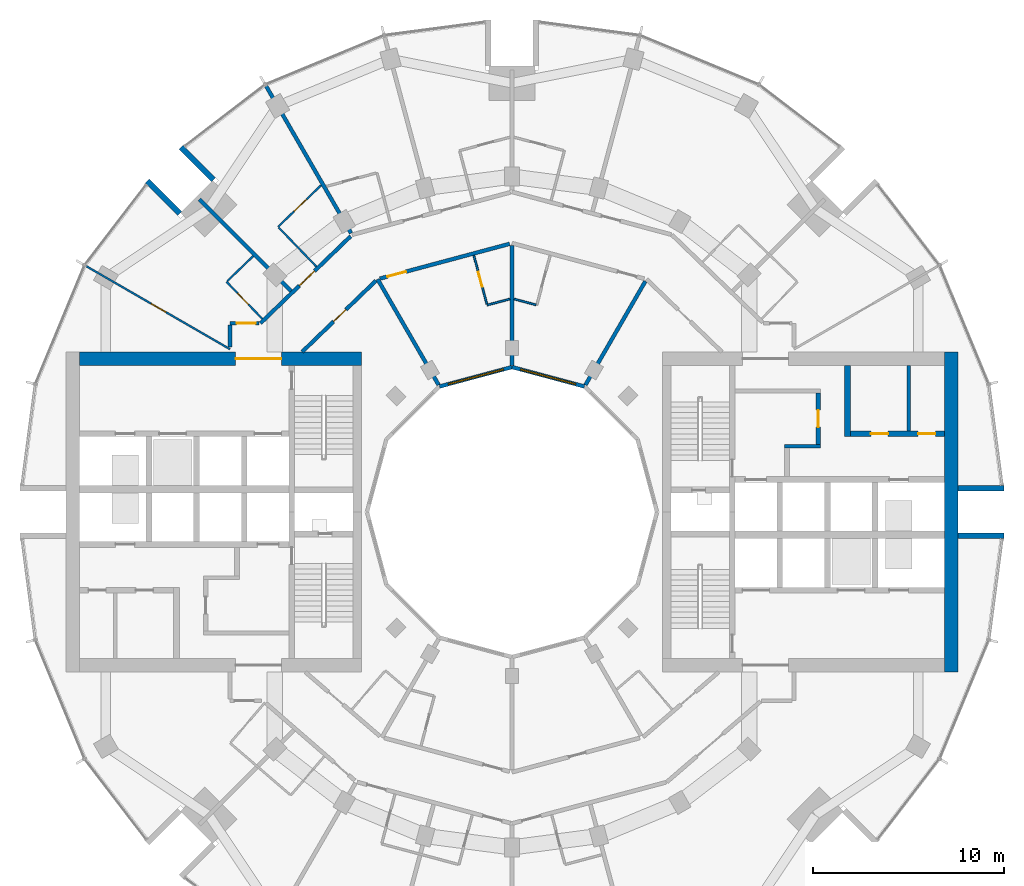
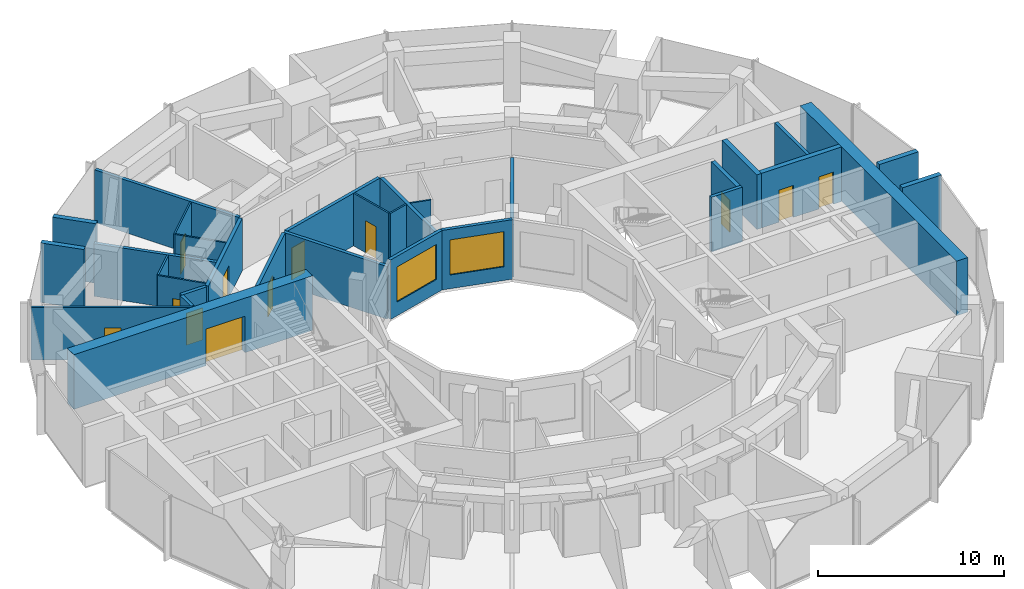
# One storey, part 11 of 15: 31 walls, 12 doors, 2 windows, 14 openings.
"""IFC4 building model written with IfcOpenShell, lengths in metres."""

import ifcopenshell
import ifcopenshell.guid

model = None  # the IFC model being written
_history = None  # IfcOwnerHistory: only IFC2X3 demands one
_inside = {}  # id of a spatial element -> (the spatial element, [elements in it])
_under = {}  # id of a project, library or spatial element -> (it, [spatial elements below it])
_declared = {}  # id of a project -> (the project, [libraries it declares])
_typed = {}  # id of a type object -> (the type object, [elements of that type])
_made_of = {}  # id of a material, layer set ... -> (it, [elements and type objects made of it])


def new_model(schema):
    """Start an empty IFC model of exactly this schema.

    Asked for "IFC4X3", IfcOpenShell would pick the latest addendum, in which some entities
    have other attributes; the version numbers below select the first issue.
    IFC2X3 requires an IfcOwnerHistory on every rooted entity: one is made here for all.
    """
    global model, _history
    if schema == "IFC4X3":
        model = ifcopenshell.file(schema_version=(4, 3, 0, 0))
    else:
        model = ifcopenshell.file(schema=schema)
    _inside.clear()
    _under.clear()
    _declared.clear()
    _typed.clear()
    _made_of.clear()
    _history = None
    if model.schema == "IFC2X3":
        org = make("IfcOrganization", Name="unknown")
        user = make(
            "IfcPersonAndOrganization",
            ThePerson=make("IfcPerson", FamilyName="unknown"),
            TheOrganization=org,
        )
        app = make(
            "IfcApplication",
            ApplicationDeveloper=org,
            Version="unknown",
            ApplicationFullName="unknown",
            ApplicationIdentifier="unknown",
        )
        _history = make(
            "IfcOwnerHistory",
            OwningUser=user,
            OwningApplication=app,
            ChangeAction="ADDED",
            CreationDate=0,
        )
    return model


def make(cls, **values):
    """One entity of the class cls with the attributes given. An attribute that is None is left unset."""
    return model.create_entity(
        cls, **{name: value for name, value in values.items() if value is not None}
    )


def rooted(cls, **values):
    """An entity with a GlobalId (a new one), such as an element, a storey or a relation."""
    return make(cls, GlobalId=ifcopenshell.guid.new(), OwnerHistory=_history, **values)


def si_unit(unit_type, name, prefix=None):
    """IfcSIUnit, for example si_unit("LENGTHUNIT", "METRE", prefix="MILLI")."""
    return make("IfcSIUnit", UnitType=unit_type, Prefix=prefix, Name=name)


def assignment(units):
    """IfcUnitAssignment: the units of a project."""
    return None if units is None else make("IfcUnitAssignment", Units=units)


def point(xyz):
    """IfcCartesianPoint."""
    return None if xyz is None else make("IfcCartesianPoint", Coordinates=xyz)


def direction(xyz):
    """IfcDirection."""
    return None if xyz is None else make("IfcDirection", DirectionRatios=xyz)


def frame(location, z_axis=None, x_axis=None):
    """IfcAxis2Placement3D, a coordinate frame: its origin and axes. An axis left out is left unset."""
    return make(
        "IfcAxis2Placement3D",
        Location=point(location),
        Axis=direction(z_axis),
        RefDirection=direction(x_axis),
    )


def frame_2d(location, x_axis=None):
    """IfcAxis2Placement2D, a coordinate frame in the plane: its origin and x axis."""
    return make(
        "IfcAxis2Placement2D", Location=point(location), RefDirection=direction(x_axis)
    )


def origin():
    """The frame at (0, 0, 0) with its axes left unset."""
    return frame((0.0, 0.0, 0.0))


def place(relative_to, where):
    """IfcLocalPlacement: puts the frame where relative to a parent placement (None: the world)."""
    return make(
        "IfcLocalPlacement", PlacementRelTo=relative_to, RelativePlacement=where
    )


def context(
    kind, dimensions, precision=None, world=None, true_north=None, identifier=None
):
    """IfcGeometricRepresentationContext, for example the 3D "Model" context."""
    return make(
        "IfcGeometricRepresentationContext",
        ContextIdentifier=identifier,
        ContextType=kind,
        CoordinateSpaceDimension=dimensions,
        Precision=precision,
        WorldCoordinateSystem=world,
        TrueNorth=true_north,
    )


def subcontext(parent, identifier, kind, view, scale=None):
    """IfcGeometricRepresentationSubContext, for example "Body" below "Model"."""
    return make(
        "IfcGeometricRepresentationSubContext",
        ContextIdentifier=identifier,
        ContextType=kind,
        ParentContext=parent,
        TargetScale=scale,
        TargetView=view,
    )


def project(units=None, contexts=None):
    """IfcProject with its units and contexts."""
    return rooted(
        "IfcProject",
        Name="project",
        RepresentationContexts=contexts,
        UnitsInContext=assignment(units),
    )


def spatial(cls, under=None, at=None, **own):
    """A site, building, storey or space (cls), placed at a placement, below another one or the project."""
    s = rooted(cls, ObjectPlacement=at, **own)
    if under is not None:
        _under.setdefault(under.id(), (under, []))[1].append(s)
    return s


def profile(cls, at=None, kind="AREA", **sizes):
    """A parametric profile (cls). Its sizes go by their IFC names, for example OverallWidth=200.0."""
    return make(cls, ProfileType=kind, Position=at, **sizes)


def rectangle(**sizes):
    """IfcRectangleProfileDef."""
    return profile("IfcRectangleProfileDef", **sizes)


def extrude(swept, where, along, depth):
    """IfcExtrudedAreaSolid: the profile swept, set in the frame where, extruded along a direction by depth."""
    return make(
        "IfcExtrudedAreaSolid",
        SweptArea=swept,
        Position=where,
        ExtrudedDirection=direction(along),
        Depth=depth,
    )


def shape(context_of_items, identifier, shape_type, items):
    """IfcShapeRepresentation: the items that make up one representation, for example the "Body"."""
    return make(
        "IfcShapeRepresentation",
        ContextOfItems=context_of_items,
        RepresentationIdentifier=identifier,
        RepresentationType=shape_type,
        Items=items,
    )


def material(Name=None, Category=None):
    """IfcMaterial."""
    return make("IfcMaterial", Name=Name, Category=Category)


def layer(
    of_material, thickness, ventilated=None, Name=None, Category=None, Priority=None
):
    """IfcMaterialLayer: one layer of a wall or slab, of a material (None: an air gap)."""
    return make(
        "IfcMaterialLayer",
        Material=of_material,
        LayerThickness=thickness,
        IsVentilated=ventilated,
        Name=Name,
        Category=Category,
        Priority=Priority,
    )


def layer_set(layers, Name=None):
    """IfcMaterialLayerSet."""
    return make("IfcMaterialLayerSet", MaterialLayers=layers, LayerSetName=Name)


def made_of(thing, what):
    """Note that an element or type object is made of a material, layer set ...; save() writes the relation."""
    if what is not None:
        _made_of.setdefault(what.id(), (what, []))[1].append(thing)
    return thing


def type_object(cls, material=None, **own):
    """A type object (cls), such as IfcWallType, which elements share."""
    return made_of(rooted(cls, **own), material)


def element(
    cls,
    number,
    at=None,
    inside=None,
    cuts=None,
    type_object=None,
    material=None,
    context=None,
    identifier="Body",
    shape_type=None,
    held_by="IfcProductDefinitionShape",
    body=None,
    shapes=None,
    **own,
):
    """One element of the class cls, such as IfcWall. Its Tag is "e" and its number.

    at: its placement. inside: the storey or other place that contains it. cuts: it is an
    opening in that element (IfcRelVoidsElement). A single representation is given by context,
    identifier, shape_type and body (its items); several are given by shapes. held_by: the class
    of the entity that holds the representations. save() writes the other relations.
    """
    e = rooted(cls, Tag="e%d" % number, ObjectPlacement=at, **own)
    if body is not None:
        shapes = [shape(context, identifier, shape_type, body)]
    if shapes is not None:
        e.Representation = make(held_by, Representations=shapes)
    if inside is not None:
        _inside.setdefault(inside.id(), (inside, []))[1].append(e)
    if cuts is not None:
        rooted(
            "IfcRelVoidsElement", RelatingBuildingElement=cuts, RelatedOpeningElement=e
        )
    if type_object is not None:
        _typed.setdefault(type_object.id(), (type_object, []))[1].append(e)
    return made_of(e, material)


def fill(opening, filler):
    """IfcRelFillsElement: the door or window that sits in an opening."""
    return rooted(
        "IfcRelFillsElement",
        RelatingOpeningElement=opening,
        RelatedBuildingElement=filler,
    )


def aggregate(whole, parts):
    """IfcRelAggregates: a whole, such as a stair, and the parts it consists of."""
    return rooted("IfcRelAggregates", RelatingObject=whole, RelatedObjects=parts)


def save(model, path):
    """Write the relations noted so far, then the file.

    IfcRelAggregates (storeys below a building ...), IfcRelContainedInSpatialStructure (elements
    in a storey), IfcRelDefinesByType, IfcRelAssociatesMaterial and IfcRelDeclares: one each for
    every whole, place, type object, material and project.
    """
    for whole, parts in _under.values():
        aggregate(whole, parts)
    for where, things in _inside.values():
        rooted(
            "IfcRelContainedInSpatialStructure",
            RelatedElements=things,
            RelatingStructure=where,
        )
    for kind, things in _typed.values():
        rooted("IfcRelDefinesByType", RelatedObjects=things, RelatingType=kind)
    for what, things in _made_of.values():
        rooted("IfcRelAssociatesMaterial", RelatedObjects=things, RelatingMaterial=what)
    for by, libraries in _declared.values():
        rooted("IfcRelDeclares", RelatingContext=by, RelatedDefinitions=libraries)
    model.write(path)


model = new_model("IFC4")

# Units and contexts
model_context = context("Model", 3, precision=1e-05, world=origin(), true_north=direction((0.0, 1.0)))
body_context = subcontext(model_context, "Body", "Model", "MODEL_VIEW")
ifc_project = project(units=[si_unit("LENGTHUNIT", "METRE"), si_unit("AREAUNIT", "SQUARE_METRE"), si_unit("VOLUMEUNIT", "CUBIC_METRE"), si_unit("PLANEANGLEUNIT", "RADIAN"), si_unit("MASSUNIT", "GRAM", prefix="KILO")], contexts=[model_context])

# Site, building, storey
site_placement = place(None, origin())
site = spatial("IfcSite", under=ifc_project, at=site_placement, CompositionType="ELEMENT")
building_placement = place(site_placement, origin())
building = spatial("IfcBuilding", under=site, at=building_placement, Name="Torre Brocal", CompositionType="ELEMENT")
storey_placement = place(building_placement, frame((0.0, 0.0, 138.0)))
storey = spatial("IfcBuildingStorey", under=building, at=storey_placement, Name="L32", CompositionType="ELEMENT", Elevation=138.0)

# Walls
ifc_material_1 = material(Name="Masonry block", Category="masonry")
ifc_layer_1 = layer(ifc_material_1, 0.199951171875)
ifc_layer_set_1 = layer_set([ifc_layer_1], Name="Masonry block")
wall_type_1 = type_object("IfcWallType", Name="CORE PARTITION 200", PredefinedType="PARTITIONING", material=ifc_layer_set_1)
wall_1_placement = place(storey_placement, frame((100.819091796875, 79.25, 0.0), z_axis=(0.0, 0.0, 1.0), x_axis=(0.0, 1.0, 0.0)))
element("IfcWall", 1, at=wall_1_placement, inside=storey, type_object=wall_type_1, Name="Wall CP200", PredefinedType="PARTITIONING", context=body_context, shape_type="SweptSolid", body=[
    extrude(rectangle(XDim=3.449951171875, YDim=0.199951171875, at=frame_2d((1.72509765625, 0.0))), origin(), (0.0, 0.0, 1.0), 3.580078125),
])
ifc_material_2 = material(Name="Concrete C70", Category="concrete")
ifc_layer_2 = layer(ifc_material_2, 0.199951171875)
ifc_layer_set_2 = layer_set([ifc_layer_2], Name="Concrete C70")
wall_type_2 = type_object("IfcWallType", Name="CORE WALL 200 C70", PredefinedType="SHEAR", material=ifc_layer_set_2)
wall_2_placement = place(storey_placement, frame((94.300048828125, 78.449951171875, 0.0), z_axis=(0.0, 0.0, 1.0), x_axis=(1.0, 0.0, 0.0)))
element("IfcWall", 2, at=wall_2_placement, inside=storey, type_object=wall_type_2, Name="Wall CW200-70", PredefinedType="SHEAR", context=body_context, shape_type="SweptSolid", body=[
    extrude(rectangle(XDim=1.89990234375, YDim=0.199951171875, at=frame_2d((0.949951171875, 0.0))), origin(), (0.0, 0.0, 1.0), 3.580078125),
])

# Wall, opening, door
ifc_material_3 = material(Name="Concrete C70", Category="concrete")
ifc_layer_3 = layer(ifc_material_3, 0.25)
ifc_layer_set_3 = layer_set([ifc_layer_3], Name="Concrete C70")
wall_type_3 = type_object("IfcWallType", Name="CORE WALL 250 C70", PredefinedType="SHEAR", material=ifc_layer_set_3)
wall_3_placement = place(storey_placement, frame((96.074951171875, 78.550048828125, 0.0), z_axis=(0.0, 0.0, 1.0), x_axis=(0.0, 1.0, 0.0)))
wall_3 = element("IfcWall", 3, at=wall_3_placement, inside=storey, type_object=wall_type_3, Name="Wall CW250-70", PredefinedType="SHEAR", context=body_context, shape_type="SweptSolid", body=[
    extrude(rectangle(XDim=2.699951171875, YDim=0.25, at=frame_2d((1.35009765625, 0.0))), origin(), (0.0, 0.0, 1.0), 3.580078125),
])
opening_1_placement = place(wall_3_placement, frame((0.89990234375, 0.0, 0.0)))
opening_1 = element("IfcOpeningElement", 4, at=opening_1_placement, cuts=wall_3, Name="Opening E-D15", PredefinedType="OPENING", context=body_context, shape_type="SweptSolid", body=[
    extrude(rectangle(XDim=0.89990234375, YDim=2.10009765625, at=frame_2d((0.449951171875, 1.050048828125))), frame((0.0, 0.135009765625, 0.0), z_axis=(0.0, -1.0, 0.0), x_axis=(1.0, 0.0, 0.0)), (0.0, 0.0, 1.0), 0.27001953125),
])
ifc_material_4 = material(Name="Steel A653", Category="steel")
door_type_1 = type_object("IfcDoorType", Name="LOBBY DOOR FD120 900X2100", OperationType="SINGLE_SWING_RIGHT", PredefinedType="DOOR", material=ifc_material_4)
door_1_placement = place(opening_1_placement, origin())
door_1 = element("IfcDoor", 5, at=door_1_placement, inside=storey, type_object=door_type_1, Name="Door E-D15", OperationType="SINGLE_SWING_LEFT", OverallHeight=2.10009765625, OverallWidth=0.89990234375, PredefinedType="DOOR", context=body_context, shape_type="SweptSolid", body=[
    extrude(rectangle(XDim=0.89990234375, YDim=2.10009765625, at=frame_2d((0.449951171875, 1.050048828125))), frame((0.0, 0.02490234375, 0.0), z_axis=(0.0, -1.0, 0.0), x_axis=(1.0, 0.0, 0.0)), (0.0, 0.0, 1.0), 0.050048828125),
])
fill(opening_1, door_1)

# Wall
ifc_material_5 = material(Name="Concrete C70", Category="concrete")
ifc_layer_4 = layer(ifc_material_5, 0.300048828125)
ifc_layer_set_4 = layer_set([ifc_layer_4], Name="Concrete C70")
wall_type_4 = type_object("IfcWallType", Name="CORE WALL 300 C70", PredefinedType="SHEAR", material=ifc_layer_set_4)
wall_4_placement = place(storey_placement, frame((97.60009765625, 78.949951171875, 0.0), z_axis=(0.0, 0.0, 1.0), x_axis=(0.0, 1.0, 0.0)))
element("IfcWall", 6, at=wall_4_placement, inside=storey, type_object=wall_type_4, Name="Wall CW300-70", PredefinedType="SHEAR", context=body_context, shape_type="SweptSolid", body=[
    extrude(rectangle(XDim=3.75, YDim=0.300048828125, at=frame_2d((1.875, 0.0))), origin(), (0.0, 0.0, 1.0), 3.580078125),
])

# Wall, openings, doors
wall_5_placement = place(storey_placement, frame((97.75, 79.10009765625, 0.0), z_axis=(0.0, 0.0, 1.0), x_axis=(1.0, 0.0, 0.0)))
wall_5 = element("IfcWall", 7, at=wall_5_placement, inside=storey, type_object=wall_type_4, Name="Wall CW300-70", PredefinedType="SHEAR", context=body_context, shape_type="SweptSolid", body=[
    extrude(rectangle(XDim=4.949951171875, YDim=0.300048828125, at=frame_2d((2.47509765625, 0.0))), origin(), (0.0, 0.0, 1.0), 3.580078125),
])
opening_2_placement = place(wall_5_placement, frame((1.08447265625, 0.0, 0.0)))
opening_2 = element("IfcOpeningElement", 8, at=opening_2_placement, cuts=wall_5, Name="Opening E-D05", PredefinedType="OPENING", context=body_context, shape_type="SweptSolid", body=[
    extrude(rectangle(XDim=0.89990234375, YDim=2.10009765625, at=frame_2d((0.449951171875, 1.050048828125))), frame((0.0, 0.159912109375, 0.0), z_axis=(0.0, -1.0, 0.0), x_axis=(1.0, 0.0, 0.0)), (0.0, 0.0, 1.0), 0.320068359375),
])
opening_3_placement = place(wall_5_placement, frame((3.5595703125, 0.0, 0.0)))
opening_3 = element("IfcOpeningElement", 9, at=opening_3_placement, cuts=wall_5, Name="Opening E-D06", PredefinedType="OPENING", context=body_context, shape_type="SweptSolid", body=[
    extrude(rectangle(XDim=0.89990234375, YDim=2.10009765625, at=frame_2d((0.449951171875, 1.050048828125))), frame((0.0, 0.159912109375, 0.0), z_axis=(0.0, -1.0, 0.0), x_axis=(1.0, 0.0, 0.0)), (0.0, 0.0, 1.0), 0.320068359375),
])
ifc_material_6 = material(Name="Steel A653", Category="steel")
door_type_2 = type_object("IfcDoorType", Name="ROOM DOOR FD30S 900X2100", OperationType="SINGLE_SWING_LEFT", PredefinedType="DOOR", material=ifc_material_6)
door_2_placement = place(opening_2_placement, origin())
door_2 = element("IfcDoor", 10, at=door_2_placement, inside=storey, type_object=door_type_2, Name="Door E-D05", OperationType="SINGLE_SWING_RIGHT", OverallHeight=2.10009765625, OverallWidth=0.89990234375, PredefinedType="DOOR", context=body_context, shape_type="SweptSolid", body=[
    extrude(rectangle(XDim=0.89990234375, YDim=2.10009765625, at=frame_2d((0.449951171875, 1.050048828125))), frame((0.0, 0.02490234375, 0.0), z_axis=(0.0, -1.0, 0.0), x_axis=(1.0, 0.0, 0.0)), (0.0, 0.0, 1.0), 0.050048828125),
])
fill(opening_2, door_2)
door_3_placement = place(opening_3_placement, origin())
door_3 = element("IfcDoor", 11, at=door_3_placement, inside=storey, type_object=door_type_2, Name="Door E-D06", OperationType="SINGLE_SWING_LEFT", OverallHeight=2.10009765625, OverallWidth=0.89990234375, PredefinedType="DOOR", context=body_context, shape_type="SweptSolid", body=[
    extrude(rectangle(XDim=0.89990234375, YDim=2.10009765625, at=frame_2d((0.449951171875, 1.050048828125))), frame((0.0, 0.02490234375, 0.0), z_axis=(0.0, -1.0, 0.0), x_axis=(1.0, 0.0, 0.0)), (0.0, 0.0, 1.0), 0.050048828125),
])
fill(opening_3, door_3)

# Wall
ifc_material_7 = material(Name="Concrete C70", Category="concrete")
ifc_layer_5 = layer(ifc_material_7, 0.699951171875)
ifc_layer_set_5 = layer_set([ifc_layer_5], Name="Concrete C70")
wall_type_5 = type_object("IfcWallType", Name="CORE WALL 700 C70", PredefinedType="SHEAR", material=ifc_layer_set_5)
wall_6_placement = place(storey_placement, frame((103.050048828125, 66.60009765625, 0.0), z_axis=(0.0, 0.0, 1.0), x_axis=(0.0, 1.0, 0.0)))
element("IfcWall", 12, at=wall_6_placement, inside=storey, type_object=wall_type_5, Name="Wall CW700-70", PredefinedType="SHEAR", context=body_context, shape_type="SweptSolid", body=[
    extrude(rectangle(XDim=16.7998046875, YDim=0.699951171875, at=frame_2d((8.39990234375, 0.0))), origin(), (0.0, 0.0, 1.0), 3.580078125),
])

# Wall, opening, door
wall_7_placement = place(storey_placement, frame((72.10009765625, 83.050048828125, 0.0), z_axis=(0.0, 0.0, 1.0), x_axis=(-1.0, 0.0, 0.0)))
wall_7 = element("IfcWall", 13, at=wall_7_placement, inside=storey, type_object=wall_type_5, Name="Wall CW700-70", PredefinedType="SHEAR", context=body_context, shape_type="SweptSolid", body=[
    extrude(rectangle(XDim=14.800048828125, YDim=0.699951171875, at=frame_2d((7.39990234375, 0.0))), origin(), (0.0, 0.0, 1.0), 3.580078125),
])
opening_4_placement = place(wall_7_placement, frame((4.199951171875, 0.0, 0.0)))
opening_4 = element("IfcOpeningElement", 14, at=opening_4_placement, cuts=wall_7, Name="Opening W-D27", PredefinedType="OPENING", context=body_context, shape_type="SweptSolid", body=[
    extrude(rectangle(XDim=2.39990234375, YDim=2.39990234375, at=frame_2d((1.199951171875, 1.199951171875))), frame((0.0, 0.35986328125, 0.0), z_axis=(0.0, -1.0, 0.0), x_axis=(1.0, 0.0, 0.0)), (0.0, 0.0, 1.0), 0.719970703125),
])
ifc_material_8 = material(Name="Steel A653", Category="steel")
door_type_3 = type_object("IfcDoorType", Name="DOUBLE FIRE DOOR FD90 2400X2400", OperationType="DOUBLE_DOOR_SINGLE_SWING", PredefinedType="DOOR", material=ifc_material_8)
door_4_placement = place(opening_4_placement, origin())
door_4 = element("IfcDoor", 15, at=door_4_placement, inside=storey, type_object=door_type_3, Name="Door W-D27", OperationType="DOUBLE_DOOR_SINGLE_SWING", OverallHeight=2.39990234375, OverallWidth=2.39990234375, PredefinedType="DOOR", context=body_context, shape_type="SweptSolid", body=[
    extrude(rectangle(XDim=2.39990234375, YDim=2.39990234375, at=frame_2d((1.199951171875, 1.199951171875))), frame((0.0, 0.02490234375, 0.0), z_axis=(0.0, -1.0, 0.0), x_axis=(1.0, 0.0, 0.0)), (0.0, 0.0, 1.0), 0.050048828125),
])
fill(opening_4, door_4)

# Walls
ifc_material_9 = material(Name="Concrete C70", Category="concrete")
ifc_layer_6 = layer(ifc_material_9, 0.300048828125)
ifc_layer_set_6 = layer_set([ifc_layer_6], Name="Concrete C70")
wall_type_6 = type_object("IfcWallType", Name="NOTCH RETURN WALL 300 C70", PredefinedType="NOTDEFINED", material=ifc_layer_set_6)
for number, where, z_axis, x_axis, name in (
    (16, (103.39990234375, 73.75, 0.0), (0.0, 0.0, 1.0), (1.0, 0.0, 0.0), "NOTCH RETURN WALL"),
    (17, (103.39990234375, 76.25, 0.0), (0.0, 0.0, 1.0), (1.0, 0.0, 0.0), "NOTCH RETURN WALL"),
    (18, (64.337646484375, 92.43017578125, 0.0), (0.0, 0.0, 1.0), (-0.707106781187, 0.707106781187, 0.0), "NOTCH RETURN WALL"),
    (19, (62.56982421875, 90.662353515625, 0.0), (0.0, 0.0, 1.0), (-0.707106781187, 0.707106781187, 0.0), "NOTCH RETURN WALL"),
):
    element("IfcWall", number, at=place(storey_placement, frame(where, z_axis=z_axis, x_axis=x_axis)), inside=storey, type_object=wall_type_6, Name=name, PredefinedType="NOTDEFINED", context=body_context, shape_type="SweptSolid", body=[
        extrude(rectangle(XDim=2.415771484375, YDim=0.300048828125, at=frame_2d((1.2080078125, 0.0))), origin(), (0.0, 0.0, 1.0), 3.89990234375),
    ])

# Wall, opening, door
ifc_material_10 = material(Name="Gypsum board", Category="Gypsum")
ifc_layer_7 = layer(ifc_material_10, 0.10009765625)
ifc_layer_set_7 = layer_set([ifc_layer_7], Name="Gypsum board")
wall_type_7 = type_object("IfcWallType", Name="PARTITION 100", PredefinedType="PARTITIONING", material=ifc_layer_set_7)
wall_8_placement = place(storey_placement, frame((57.65869140625, 87.89892578125, 0.0), z_axis=(0.0, 0.0, 1.0), x_axis=(0.86602264145, -0.500004784474, 0.0)))
wall_8 = element("IfcWall", 20, at=wall_8_placement, inside=storey, type_object=wall_type_7, Name="ROOM PARTITION", PredefinedType="PARTITIONING", context=body_context, shape_type="SweptSolid", body=[
    extrude(rectangle(XDim=8.7080078125, YDim=0.10009765625, at=frame_2d((4.35400390625, 0.0))), origin(), (0.0, 0.0, 1.0), 3.449951171875),
])
opening_5_placement = place(wall_8_placement, frame((3.928955078125, 0.0, 0.0)))
opening_5 = element("IfcOpeningElement", 21, at=opening_5_placement, cuts=wall_8, Name="Opening E03-D16", PredefinedType="OPENING", context=body_context, shape_type="SweptSolid", body=[
    extrude(rectangle(XDim=0.89990234375, YDim=2.10009765625, at=frame_2d((0.449951171875, 1.050048828125))), frame((0.0, 0.06005859375, 0.0), z_axis=(0.0, -1.0, 0.0), x_axis=(1.0, 0.0, 0.0)), (0.0, 0.0, 1.0), 0.1201171875),
])
ifc_material_11 = material(Name="Timber", Category="wood")
door_type_4 = type_object("IfcDoorType", Name="ROOM DOOR 900X2100", OperationType="SINGLE_SWING_LEFT", PredefinedType="DOOR", material=ifc_material_11)
door_5_placement = place(opening_5_placement, frame((0.89990234375, 0.0, 0.0), z_axis=(0.0, 0.0, 1.0), x_axis=(-1.0, 0.0, 0.0)))
door_5 = element("IfcDoor", 22, at=door_5_placement, inside=storey, type_object=door_type_4, Name="E03-D16", OperationType="SINGLE_SWING_LEFT", OverallHeight=2.10009765625, OverallWidth=0.89990234375, PredefinedType="DOOR", context=body_context, shape_type="SweptSolid", body=[
    extrude(rectangle(XDim=0.89990234375, YDim=2.10009765625, at=frame_2d((0.449951171875, 1.050048828125))), frame((0.0, 0.02490234375, 0.0), z_axis=(0.0, -1.0, 0.0), x_axis=(1.0, 0.0, 0.0)), (0.0, 0.0, 1.0), 0.050048828125),
])
fill(opening_5, door_5)

# Wall
wall_9_placement = place(storey_placement, frame((65.05908203125, 87.11376953125, 0.0), z_axis=(0.0, 0.0, 1.0), x_axis=(0.719653890619, 0.694332973232, 0.0)))
element("IfcWall", 23, at=wall_9_placement, inside=storey, type_object=wall_type_7, Name="BATHROOM WALL", PredefinedType="PARTITIONING", context=body_context, shape_type="SweptSolid", body=[
    extrude(rectangle(XDim=1.8994140625, YDim=0.10009765625, at=frame_2d((0.94970703125, 0.0))), origin(), (0.0, 0.0, 1.0), 3.449951171875),
])

# Wall, opening, door
wall_10_placement = place(storey_placement, frame((65.02294921875, 87.0791015625, 0.0), z_axis=(0.0, 0.0, 1.0), x_axis=(0.694287838235, -0.719697434815, 0.0)))
wall_10 = element("IfcWall", 24, at=wall_10_placement, inside=storey, type_object=wall_type_7, Name="BATHROOM WALL", PredefinedType="PARTITIONING", context=body_context, shape_type="SweptSolid", body=[
    extrude(rectangle(XDim=2.699951171875, YDim=0.10009765625, at=frame_2d((1.35009765625, 0.0))), origin(), (0.0, 0.0, 1.0), 3.449951171875),
])
opening_6_placement = place(wall_10_placement, frame((0.849853515625, 0.0, 0.0)))
opening_6 = element("IfcOpeningElement", 25, at=opening_6_placement, cuts=wall_10, Name="Opening E03-D15", PredefinedType="OPENING", context=body_context, shape_type="SweptSolid", body=[
    extrude(rectangle(XDim=0.800048828125, YDim=2.10009765625, at=frame_2d((0.39990234375, 1.050048828125))), frame((0.0, 0.06005859375, 0.0), z_axis=(0.0, -1.0, 0.0), x_axis=(1.0, 0.0, 0.0)), (0.0, 0.0, 1.0), 0.1201171875),
])
ifc_material_12 = material(Name="Timber", Category="wood")
door_type_5 = type_object("IfcDoorType", Name="BATHROOM DOOR 800X2100", OperationType="SINGLE_SWING_LEFT", PredefinedType="DOOR", material=ifc_material_12)
door_6_placement = place(opening_6_placement, origin())
door_6 = element("IfcDoor", 26, at=door_6_placement, inside=storey, type_object=door_type_5, Name="E03-D15", OperationType="SINGLE_SWING_LEFT", OverallHeight=2.10009765625, OverallWidth=0.800048828125, PredefinedType="DOOR", context=body_context, shape_type="SweptSolid", body=[
    extrude(rectangle(XDim=0.800048828125, YDim=2.10009765625, at=frame_2d((0.39990234375, 1.050048828125))), frame((0.0, 0.02490234375, 0.0), z_axis=(0.0, -1.0, 0.0), x_axis=(1.0, 0.0, 0.0)), (0.0, 0.0, 1.0), 0.050048828125),
])
fill(opening_6, door_6)

# Wall
wall_11_placement = place(storey_placement, frame((67.7578125, 89.926025390625, 0.0), z_axis=(0.0, 0.0, 1.0), x_axis=(0.694485934895, -0.719506279495, 0.0)))
element("IfcWall", 27, at=wall_11_placement, inside=storey, type_object=wall_type_7, Name="BATHROOM WALL", PredefinedType="PARTITIONING", context=body_context, shape_type="SweptSolid", body=[
    extrude(rectangle(XDim=2.849365234375, YDim=0.10009765625, at=frame_2d((1.4248046875, 0.0))), origin(), (0.0, 0.0, 1.0), 3.449951171875),
])

# Wall, opening, door
wall_12_placement = place(storey_placement, frame((67.722900390625, 89.9619140625, 0.0), z_axis=(0.0, 0.0, 1.0), x_axis=(0.719487277563, 0.694505620873, 0.0)))
wall_12 = element("IfcWall", 28, at=wall_12_placement, inside=storey, type_object=wall_type_7, Name="BATHROOM WALL", PredefinedType="PARTITIONING", context=body_context, shape_type="SweptSolid", body=[
    extrude(rectangle(XDim=3.136962890625, YDim=0.10009765625, at=frame_2d((1.568359375, 0.0))), origin(), (0.0, 0.0, 1.0), 3.449951171875),
])
opening_7_placement = place(wall_12_placement, frame((1.17333984375, 0.0, 0.0)))
opening_7 = element("IfcOpeningElement", 29, at=opening_7_placement, cuts=wall_12, Name="Opening E03-D13", PredefinedType="OPENING", context=body_context, shape_type="SweptSolid", body=[
    extrude(rectangle(XDim=0.89990234375, YDim=2.10009765625, at=frame_2d((0.449951171875, 1.050048828125))), frame((0.0, 0.06005859375, 0.0), z_axis=(0.0, -1.0, 0.0), x_axis=(1.0, 0.0, 0.0)), (0.0, 0.0, 1.0), 0.1201171875),
])
ifc_material_13 = material(Name="Timber", Category="wood")
door_type_6 = type_object("IfcDoorType", Name="ACCESSIBLE BATHROOM DOOR 900X2100", OperationType="SINGLE_SWING_LEFT", PredefinedType="DOOR", material=ifc_material_13)
door_7_placement = place(opening_7_placement, frame((0.89990234375, 0.0, 0.0), z_axis=(0.0, 0.0, 1.0), x_axis=(-1.0, 0.0, 0.0)))
door_7 = element("IfcDoor", 30, at=door_7_placement, inside=storey, type_object=door_type_6, Name="E03-D13", OperationType="SINGLE_SWING_LEFT", OverallHeight=2.10009765625, OverallWidth=0.89990234375, PredefinedType="DOOR", context=body_context, shape_type="SweptSolid", body=[
    extrude(rectangle(XDim=0.89990234375, YDim=2.10009765625, at=frame_2d((0.449951171875, 1.050048828125))), frame((0.0, 0.02490234375, 0.0), z_axis=(0.0, -1.0, 0.0), x_axis=(1.0, 0.0, 0.0)), (0.0, 0.0, 1.0), 0.050048828125),
])
fill(opening_7, door_7)

wall_13_placement = place(storey_placement, frame((77.997802734375, 88.46337890625, 0.0), z_axis=(0.0, 0.0, 1.0), x_axis=(0.258677737588, -0.965963678446, 0.0)))
wall_13 = element("IfcWall", 31, at=wall_13_placement, inside=storey, type_object=wall_type_7, Name="BATHROOM WALL", PredefinedType="PARTITIONING", context=body_context, shape_type="SweptSolid", body=[
    extrude(rectangle(XDim=2.649169921875, YDim=0.10009765625, at=frame_2d((1.32470703125, 0.0))), origin(), (0.0, 0.0, 1.0), 3.449951171875),
])
opening_8_placement = place(wall_13_placement, frame((0.899658203125, 0.0, 0.0)))
opening_8 = element("IfcOpeningElement", 32, at=opening_8_placement, cuts=wall_13, Name="Opening E03-D21", PredefinedType="OPENING", context=body_context, shape_type="SweptSolid", body=[
    extrude(rectangle(XDim=0.800048828125, YDim=2.10009765625, at=frame_2d((0.39990234375, 1.050048828125))), frame((0.0, 0.06005859375, 0.0), z_axis=(0.0, -1.0, 0.0), x_axis=(1.0, 0.0, 0.0)), (0.0, 0.0, 1.0), 0.1201171875),
])
door_8_placement = place(opening_8_placement, origin())
door_8 = element("IfcDoor", 33, at=door_8_placement, inside=storey, type_object=door_type_5, Name="E03-D21", OperationType="SINGLE_SWING_LEFT", OverallHeight=2.10009765625, OverallWidth=0.800048828125, PredefinedType="DOOR", context=body_context, shape_type="SweptSolid", body=[
    extrude(rectangle(XDim=0.800048828125, YDim=2.10009765625, at=frame_2d((0.39990234375, 1.050048828125))), frame((0.0, 0.02490234375, 0.0), z_axis=(0.0, -1.0, 0.0), x_axis=(1.0, 0.0, 0.0)), (0.0, 0.0, 1.0), 0.050048828125),
])
fill(opening_8, door_8)

# Walls
wall_14_placement = place(storey_placement, frame((78.696044921875, 85.85595703125, 0.0), z_axis=(0.0, 0.0, 1.0), x_axis=(0.966002513606, 0.258532674351, 0.0)))
element("IfcWall", 34, at=wall_14_placement, inside=storey, type_object=wall_type_7, Name="BATHROOM WALL", PredefinedType="PARTITIONING", context=body_context, shape_type="SweptSolid", body=[
    extrude(rectangle(XDim=1.239990234375, YDim=0.10009765625, at=frame_2d((0.6201171875, 0.0))), origin(), (0.0, 0.0, 1.0), 3.449951171875),
])
wall_15_placement = place(storey_placement, frame((80.106201171875, 86.176513671875, 0.0), z_axis=(0.0, 0.0, 1.0), x_axis=(0.966002973184, -0.258530957139, 0.0)))
element("IfcWall", 35, at=wall_15_placement, inside=storey, type_object=wall_type_7, Name="BATHROOM WALL", PredefinedType="PARTITIONING", context=body_context, shape_type="SweptSolid", body=[
    extrude(rectangle(XDim=1.18994140625, YDim=0.10009765625, at=frame_2d((0.594970703125, 0.0))), origin(), (0.0, 0.0, 1.0), 3.449951171875),
])
ifc_material_14 = material(Name="Gypsum board", Category="Gypsum")
ifc_layer_8 = layer(ifc_material_14, 0.199951171875)
ifc_layer_set_8 = layer_set([ifc_layer_8], Name="Gypsum board")
wall_type_8 = type_object("IfcWallType", Name="PARTITION 200 EI60", PredefinedType="PARTITIONING", material=ifc_layer_set_8)
wall_16_placement = place(storey_placement, frame((63.595703125, 91.405517578125, 0.0), z_axis=(0.0, 0.0, 1.0), x_axis=(0.706963264491, -0.707250268759, 0.0)))
element("IfcWall", 36, at=wall_16_placement, inside=storey, type_object=wall_type_8, Name="BATHROOM WALL", PredefinedType="PARTITIONING", context=body_context, shape_type="SweptSolid", body=[
    extrude(rectangle(XDim=6.80517578125, YDim=0.199951171875, at=frame_2d((3.402587890625, 0.0))), origin(), (0.0, 0.0, 1.0), 3.449951171875),
])
wall_17_placement = place(storey_placement, frame((65.199951171875, 83.64990234375, 0.0), z_axis=(0.0, 0.0, 1.0), x_axis=(0.0, 1.0, 0.0)))
element("IfcWall", 37, at=wall_17_placement, inside=storey, type_object=wall_type_8, Name="GUESTROOM CORRIDOR WALL", PredefinedType="PARTITIONING", context=body_context, shape_type="SweptSolid", body=[
    extrude(rectangle(XDim=1.150146484375, YDim=0.199951171875, at=frame_2d((0.5751953125, 0.0))), origin(), (0.0, 0.0, 1.0), 3.449951171875),
])

# Wall, opening, door
wall_18_placement = place(storey_placement, frame((65.199951171875, 84.89990234375, 0.0), z_axis=(0.0, 0.0, 1.0), x_axis=(1.0, 0.0, 0.0)))
wall_18 = element("IfcWall", 38, at=wall_18_placement, inside=storey, type_object=wall_type_8, Name="GUESTROOM CORRIDOR WALL", PredefinedType="PARTITIONING", context=body_context, shape_type="SweptSolid", body=[
    extrude(rectangle(XDim=1.537109375, YDim=0.199951171875, at=frame_2d((0.7685546875, 0.0))), origin(), (0.0, 0.0, 1.0), 3.449951171875),
])
opening_9_placement = place(wall_18_placement, frame((0.346923828125, 0.0, 0.0)))
opening_9 = element("IfcOpeningElement", 39, at=opening_9_placement, cuts=wall_18, Name="Opening E03-D14", PredefinedType="OPENING", context=body_context, shape_type="SweptSolid", body=[
    extrude(rectangle(XDim=1.0, YDim=2.10009765625, at=frame_2d((0.5, 1.050048828125))), frame((0.0, 0.10986328125, 0.0), z_axis=(0.0, -1.0, 0.0), x_axis=(1.0, 0.0, 0.0)), (0.0, 0.0, 1.0), 0.219970703125),
])
ifc_material_15 = material(Name="Timber", Category="wood")
door_type_7 = type_object("IfcDoorType", Name="FLAT ENTRY DOOR FD30S 1000X2100", OperationType="SINGLE_SWING_RIGHT", PredefinedType="DOOR", material=ifc_material_15)
door_9_placement = place(opening_9_placement, origin())
door_9 = element("IfcDoor", 40, at=door_9_placement, inside=storey, type_object=door_type_7, Name="E03-D14", OperationType="SINGLE_SWING_LEFT", OverallHeight=2.10009765625, OverallWidth=1.0, PredefinedType="DOOR", context=body_context, shape_type="SweptSolid", body=[
    extrude(rectangle(XDim=1.0, YDim=2.10009765625, at=frame_2d((0.5, 1.050048828125))), frame((0.0, 0.02490234375, 0.0), z_axis=(0.0, -1.0, 0.0), x_axis=(1.0, 0.0, 0.0)), (0.0, 0.0, 1.0), 0.050048828125),
])
fill(opening_9, door_9)

wall_19_placement = place(storey_placement, frame((66.796630859375, 84.900390625, 0.0), z_axis=(0.0, 0.0, 1.0), x_axis=(0.719692092412, 0.694293376116, 0.0)))
wall_19 = element("IfcWall", 41, at=wall_19_placement, inside=storey, type_object=wall_type_8, Name="GUESTROOM CORRIDOR WALL", PredefinedType="PARTITIONING", context=body_context, shape_type="SweptSolid", body=[
    extrude(rectangle(XDim=6.58447265625, YDim=0.199951171875, at=frame_2d((3.292236328125, 0.0))), origin(), (0.0, 0.0, 1.0), 3.449951171875),
])
opening_10_placement = place(wall_19_placement, frame((2.8515625, 0.0, 0.0)))
opening_10 = element("IfcOpeningElement", 42, at=opening_10_placement, cuts=wall_19, Name="Opening E03-D12", PredefinedType="OPENING", context=body_context, shape_type="SweptSolid", body=[
    extrude(rectangle(XDim=1.10009765625, YDim=2.10009765625, at=frame_2d((0.550048828125, 1.050048828125))), frame((0.0, 0.10986328125, 0.0), z_axis=(0.0, -1.0, 0.0), x_axis=(1.0, 0.0, 0.0)), (0.0, 0.0, 1.0), 0.219970703125),
])
ifc_material_16 = material(Name="Timber", Category="wood")
door_type_8 = type_object("IfcDoorType", Name="ACCESSIBLE ENTRY DOOR FD30S 1100X2100", OperationType="SINGLE_SWING_RIGHT", PredefinedType="DOOR", material=ifc_material_16)
door_10_placement = place(opening_10_placement, origin())
door_10 = element("IfcDoor", 43, at=door_10_placement, inside=storey, type_object=door_type_8, Name="E03-D12", OperationType="SINGLE_SWING_RIGHT", OverallHeight=2.10009765625, OverallWidth=1.10009765625, PredefinedType="DOOR", context=body_context, shape_type="SweptSolid", body=[
    extrude(rectangle(XDim=1.10009765625, YDim=2.10009765625, at=frame_2d((0.550048828125, 1.050048828125))), frame((0.0, 0.02490234375, 0.0), z_axis=(0.0, -1.0, 0.0), x_axis=(1.0, 0.0, 0.0)), (0.0, 0.0, 1.0), 0.050048828125),
])
fill(opening_10, door_10)

# Wall
wall_20_placement = place(storey_placement, frame((67.1025390625, 97.34228515625, 0.0), z_axis=(0.0, 0.0, 1.0), x_axis=(0.499900389553, -0.866082906265, 0.0)))
element("IfcWall", 44, at=wall_20_placement, inside=storey, type_object=wall_type_8, Name="BATHROOM WALL", PredefinedType="PARTITIONING", context=body_context, shape_type="SweptSolid", body=[
    extrude(rectangle(XDim=8.907958984375, YDim=0.199951171875, at=frame_2d((4.4541015625, 0.0))), origin(), (0.0, 0.0, 1.0), 3.449951171875),
])

# Wall, opening, door
wall_21_placement = place(storey_placement, frame((68.987060546875, 83.39990234375, 0.0), z_axis=(0.0, 0.0, 1.0), x_axis=(0.719547721855, 0.694442996922, 0.0)))
wall_21 = element("IfcWall", 45, at=wall_21_placement, inside=storey, type_object=wall_type_8, Name="CORRIDOR WALL", PredefinedType="PARTITIONING", context=body_context, shape_type="SweptSolid", body=[
    extrude(rectangle(XDim=5.3779296875, YDim=0.199951171875, at=frame_2d((2.68896484375, 0.0))), origin(), (0.0, 0.0, 1.0), 3.449951171875),
])
opening_11_placement = place(wall_21_placement, frame((2.2939453125, 0.0, 0.0)))
opening_11 = element("IfcOpeningElement", 46, at=opening_11_placement, cuts=wall_21, Name="Opening E03-D22", PredefinedType="OPENING", context=body_context, shape_type="SweptSolid", body=[
    extrude(rectangle(XDim=0.89990234375, YDim=2.10009765625, at=frame_2d((0.449951171875, 1.050048828125))), frame((0.0, 0.10986328125, 0.0), z_axis=(0.0, -1.0, 0.0), x_axis=(1.0, 0.0, 0.0)), (0.0, 0.0, 1.0), 0.219970703125),
])
door_11_placement = place(opening_11_placement, frame((0.89990234375, 0.0, 0.0), z_axis=(0.0, 0.0, 1.0), x_axis=(-1.0, 0.0, 0.0)))
door_11 = element("IfcDoor", 47, at=door_11_placement, inside=storey, type_object=door_type_4, Name="E03-D22", OperationType="SINGLE_SWING_RIGHT", OverallHeight=2.10009765625, OverallWidth=0.89990234375, PredefinedType="DOOR", context=body_context, shape_type="SweptSolid", body=[
    extrude(rectangle(XDim=0.89990234375, YDim=2.10009765625, at=frame_2d((0.449951171875, 1.050048828125))), frame((0.0, 0.02490234375, 0.0), z_axis=(0.0, -1.0, 0.0), x_axis=(1.0, 0.0, 0.0)), (0.0, 0.0, 1.0), 0.050048828125),
])
fill(opening_11, door_11)

wall_22_placement = place(storey_placement, frame((73.0712890625, 87.2470703125, 0.0), z_axis=(0.0, 0.0, 1.0), x_axis=(0.965931651205, 0.258797305243, 0.0)))
wall_22 = element("IfcWall", 48, at=wall_22_placement, inside=storey, type_object=wall_type_8, Name="GUESTROOM CORRIDOR WALL", PredefinedType="PARTITIONING", context=body_context, shape_type="SweptSolid", body=[
    extrude(rectangle(XDim=7.043212890625, YDim=0.199951171875, at=frame_2d((3.521484375, 0.0))), origin(), (0.0, 0.0, 1.0), 3.449951171875),
])
opening_12_placement = place(wall_22_placement, frame((0.409912109375, 0.0, 0.0)))
opening_12 = element("IfcOpeningElement", 49, at=opening_12_placement, cuts=wall_22, Name="Opening E03-D20", PredefinedType="OPENING", context=body_context, shape_type="SweptSolid", body=[
    extrude(rectangle(XDim=1.0, YDim=2.10009765625, at=frame_2d((0.5, 1.050048828125))), frame((0.0, 0.10986328125, 0.0), z_axis=(0.0, -1.0, 0.0), x_axis=(1.0, 0.0, 0.0)), (0.0, 0.0, 1.0), 0.219970703125),
])
door_12_placement = place(opening_12_placement, frame((1.0, 0.0, 0.0), z_axis=(0.0, 0.0, 1.0), x_axis=(-1.0, 0.0, 0.0)))
door_12 = element("IfcDoor", 50, at=door_12_placement, inside=storey, type_object=door_type_7, Name="E03-D20", OperationType="SINGLE_SWING_RIGHT", OverallHeight=2.10009765625, OverallWidth=1.0, PredefinedType="DOOR", context=body_context, shape_type="SweptSolid", body=[
    extrude(rectangle(XDim=1.0, YDim=2.10009765625, at=frame_2d((0.5, 1.050048828125))), frame((0.0, 0.02490234375, 0.0), z_axis=(0.0, -1.0, 0.0), x_axis=(1.0, 0.0, 0.0)), (0.0, 0.0, 1.0), 0.050048828125),
])
fill(opening_12, door_12)

# Walls
wall_23_placement = place(storey_placement, frame((72.948486328125, 87.214111328125, 0.0), z_axis=(0.0, 0.0, 1.0), x_axis=(0.499898430755, -0.866084036875, 0.0)))
element("IfcWall", 51, at=wall_23_placement, inside=storey, type_object=wall_type_8, Name="SERVICE ROOM WALL", PredefinedType="PARTITIONING", context=body_context, shape_type="SweptSolid", body=[
    extrude(rectangle(XDim=6.405029296875, YDim=0.199951171875, at=frame_2d((3.20263671875, 0.0))), origin(), (0.0, 0.0, 1.0), 3.449951171875),
])
wall_24_placement = place(storey_placement, frame((80.0, 82.698974609375, 0.0), z_axis=(0.0, 0.0, 1.0), x_axis=(0.0, 1.0, 0.0)))
element("IfcWall", 52, at=wall_24_placement, inside=storey, type_object=wall_type_8, Name="BATHROOM WALL", PredefinedType="PARTITIONING", context=body_context, shape_type="SweptSolid", body=[
    extrude(rectangle(XDim=6.275146484375, YDim=0.199951171875, at=frame_2d((3.1376953125, 0.0))), origin(), (0.0, 0.0, 1.0), 3.449951171875),
])
wall_25_placement = place(storey_placement, frame((83.853515625, 81.66455078125, 0.0), z_axis=(0.0, 0.0, 1.0), x_axis=(0.500241355856, 0.865886012066, 0.0)))
element("IfcWall", 53, at=wall_25_placement, inside=storey, type_object=wall_type_8, Name="SERVICE ROOM WALL", PredefinedType="PARTITIONING", context=body_context, shape_type="SweptSolid", body=[
    extrude(rectangle(XDim=6.28515625, YDim=0.199951171875, at=frame_2d((3.142578125, 0.0))), origin(), (0.0, 0.0, 1.0), 3.449951171875),
])

# Wall, opening, window
ifc_material_17 = material(Name="Concrete C40", Category="concrete")
ifc_layer_9 = layer(ifc_material_17, 0.199951171875)
ifc_layer_set_9 = layer_set([ifc_layer_9], Name="Concrete C40")
wall_type_9 = type_object("IfcWallType", Name="WELL FACADE WALL 200", PredefinedType="NOTDEFINED", material=ifc_layer_set_9)
wall_26_placement = place(storey_placement, frame((83.8017578125, 81.5849609375, 0.0), z_axis=(0.0, 0.0, 1.0), x_axis=(-0.965933654434, 0.258789828301, 0.0)))
wall_26 = element("IfcWall", 54, at=wall_26_placement, inside=storey, type_object=wall_type_9, Name="WELL FACADE WALL", PredefinedType="NOTDEFINED", context=body_context, shape_type="SweptSolid", body=[
    extrude(rectangle(XDim=3.935791015625, YDim=0.199951171875, at=frame_2d((1.9677734375, 0.0))), origin(), (0.0, 0.0, 1.0), 3.89990234375),
])
opening_13_placement = place(wall_26_placement, frame((0.468017578125, 0.0, 0.89990234375)))
opening_13 = element("IfcOpeningElement", 55, at=opening_13_placement, cuts=wall_26, Name="Opening W1", PredefinedType="OPENING", context=body_context, shape_type="SweptSolid", body=[
    extrude(rectangle(XDim=3.0, YDim=2.300048828125, at=frame_2d((1.5, 1.14990234375))), frame((0.0, 0.10986328125, 0.0), z_axis=(0.0, -1.0, 0.0), x_axis=(1.0, 0.0, 0.0)), (0.0, 0.0, 1.0), 0.219970703125),
])
ifc_material_18 = material(Name="Aluminium and glass", Category="aluminium")
window_type = type_object("IfcWindowType", Name="WELL WINDOW 3000X2300", PartitioningType="SINGLE_PANEL", PredefinedType="WINDOW", material=ifc_material_18)
window_1_placement = place(opening_13_placement, origin())
window_1 = element("IfcWindow", 56, at=window_1_placement, inside=storey, type_object=window_type, Name="WELL WINDOW 3000X2300", OverallHeight=2.300048828125, OverallWidth=3.0, PartitioningType="SINGLE_PANEL", PredefinedType="WINDOW", context=body_context, shape_type="SweptSolid", body=[
    extrude(rectangle(XDim=3.0, YDim=2.300048828125, at=frame_2d((1.5, 1.14990234375))), frame((0.0, 0.030029296875, 0.0), z_axis=(0.0, -1.0, 0.0), x_axis=(1.0, 0.0, 0.0)), (0.0, 0.0, 1.0), 0.06005859375),
])
fill(opening_13, window_1)

wall_27_placement = place(storey_placement, frame((80.0, 82.603515625, 0.0), z_axis=(0.0, 0.0, 1.0), x_axis=(-0.965933654434, -0.258789828301, 0.0)))
wall_27 = element("IfcWall", 57, at=wall_27_placement, inside=storey, type_object=wall_type_9, Name="WELL FACADE WALL", PredefinedType="NOTDEFINED", context=body_context, shape_type="SweptSolid", body=[
    extrude(rectangle(XDim=3.935791015625, YDim=0.199951171875, at=frame_2d((1.9677734375, 0.0))), origin(), (0.0, 0.0, 1.0), 3.89990234375),
])
opening_14_placement = place(wall_27_placement, frame((0.468017578125, 0.0, 0.89990234375)))
opening_14 = element("IfcOpeningElement", 58, at=opening_14_placement, cuts=wall_27, Name="Opening W1", PredefinedType="OPENING", context=body_context, shape_type="SweptSolid", body=[
    extrude(rectangle(XDim=3.0, YDim=2.300048828125, at=frame_2d((1.5, 1.14990234375))), frame((0.0, 0.10986328125, 0.0), z_axis=(0.0, -1.0, 0.0), x_axis=(1.0, 0.0, 0.0)), (0.0, 0.0, 1.0), 0.219970703125),
])
window_2_placement = place(opening_14_placement, origin())
window_2 = element("IfcWindow", 59, at=window_2_placement, inside=storey, type_object=window_type, Name="WELL WINDOW 3000X2300", OverallHeight=2.300048828125, OverallWidth=3.0, PartitioningType="SINGLE_PANEL", PredefinedType="WINDOW", context=body_context, shape_type="SweptSolid", body=[
    extrude(rectangle(XDim=3.0, YDim=2.300048828125, at=frame_2d((1.5, 1.14990234375))), frame((0.0, 0.030029296875, 0.0), z_axis=(0.0, -1.0, 0.0), x_axis=(1.0, 0.0, 0.0)), (0.0, 0.0, 1.0), 0.06005859375),
])
fill(opening_14, window_2)

save(model, "model.ifc")
